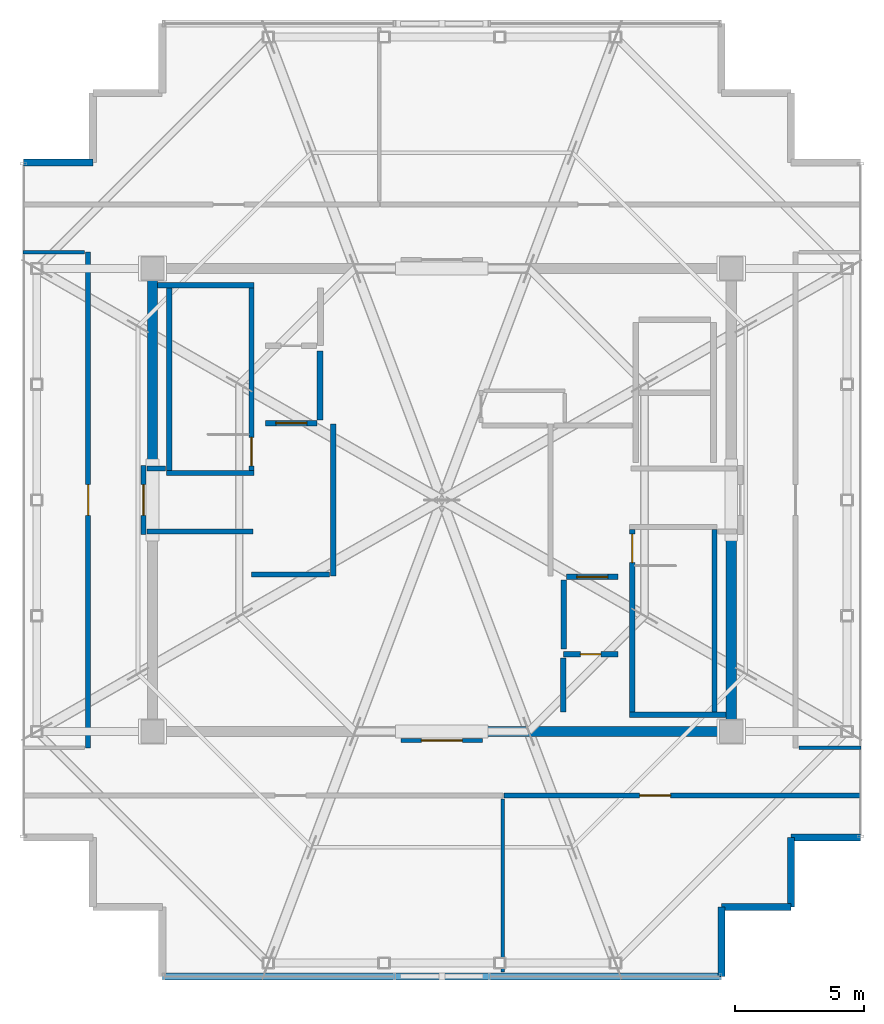
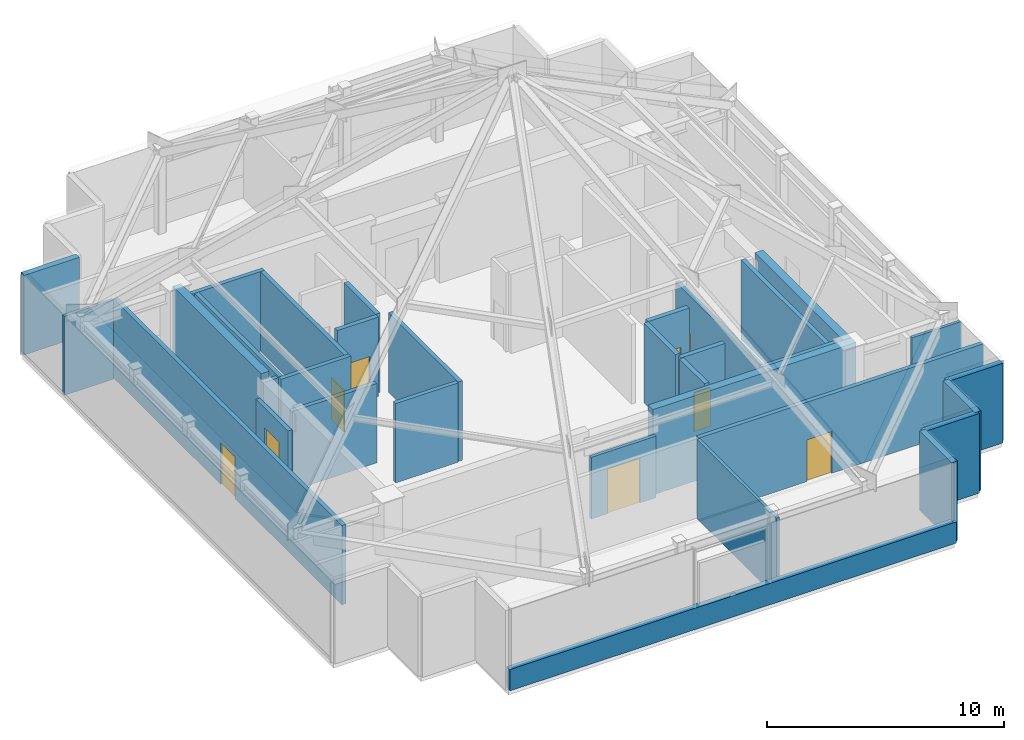
# One storey, part 15 of 17: 33 walls, 9 doors, 9 openings.
"""IFC4 building model written with IfcOpenShell, lengths in metres."""

from ifc_helpers import new_model, si_unit, direction, frame, frame_2d, origin, place, context, subcontext, project, spatial, rectangle, extrude, source, transform, mapped, material, layer, layer_set, type_object, element, fill, save


model = new_model("IFC4")

# Units and contexts
model_context = context("Model", 3, precision=1e-05, world=origin(), true_north=direction((0.0, 1.0)))
body_context = subcontext(model_context, "Body", "Model", "MODEL_VIEW")
ifc_project = project(units=[si_unit("LENGTHUNIT", "METRE"), si_unit("AREAUNIT", "SQUARE_METRE"), si_unit("VOLUMEUNIT", "CUBIC_METRE"), si_unit("PLANEANGLEUNIT", "RADIAN"), si_unit("MASSUNIT", "GRAM", prefix="KILO")], contexts=[model_context])

# Site, building, storey
site_placement = place(None, origin())
site = spatial("IfcSite", under=ifc_project, at=site_placement, CompositionType="ELEMENT")
building_placement = place(site_placement, origin())
building = spatial("IfcBuilding", under=site, at=building_placement, Name="Nefas-Gora Pilgrimage Tower", CompositionType="ELEMENT")
storey_placement = place(building_placement, frame((0.0, 0.0, 367.39990234375)))
storey = spatial("IfcBuildingStorey", under=building, at=storey_placement, Name="L92", CompositionType="ELEMENT", Elevation=367.39990234375)

# Walls
ifc_material_1 = material(Name="Concrete C50/60", Category="concrete")
ifc_layer_1 = layer(ifc_material_1, 0.39990234375)
ifc_layer_set_1 = layer_set([ifc_layer_1], Name="Concrete C50/60")
wall_type_1 = type_object("IfcWallType", Name="SW-CORE-400", PredefinedType="SHEAR", material=ifc_layer_set_1)
shared_shape_1 = source(origin(), body_context, "Body", "SweptSolid", [
    extrude(rectangle(XDim=9.89990234375, YDim=0.39990234375, at=frame_2d((4.949951171875, 0.0))), origin(), (0.0, 0.0, 1.0), 4.400146484375),
])
wall_1_placement = place(storey_placement, frame((1.550048828125, -9.0, 0.0), z_axis=(0.0, 0.0, 1.0), x_axis=(1.0, 0.0, 0.0)))
element("IfcWall", 1, at=wall_1_placement, inside=storey, type_object=wall_type_1, Name="L92 Core Shear Wall S-East", PredefinedType="SHEAR", context=body_context, shape_type="MappedRepresentation", body=[
    mapped(shared_shape_1, transform((0.0, 0.0, 0.0), x_axis=(1.0, 0.0, 0.0), y_axis=(0.0, 1.0, 0.0), z_axis=(0.0, 0.0, 1.0), scale=1.0)),
])
shared_shape_2 = source(origin(), body_context, "Body", "SweptSolid", [
    extrude(rectangle(XDim=7.449951171875, YDim=0.39990234375, at=frame_2d((3.72509765625, 0.0))), origin(), (0.0, 0.0, 1.0), 4.400146484375),
])
for number, where, z_axis, x_axis, name in (
    (2, (-11.25, 1.35009765625, 0.0), (0.0, 0.0, 1.0), (0.0, 1.0, 0.0), "L92 Core Shear Wall W-North"),
    (3, (11.25, -8.800048828125, 0.0), (0.0, 0.0, 1.0), (0.0, 1.0, 0.0), "L92 Core Shear Wall E-South"),
):
    element("IfcWall", number, at=place(storey_placement, frame(where, z_axis=z_axis, x_axis=x_axis)), inside=storey, type_object=wall_type_1, Name=name, PredefinedType="SHEAR", context=body_context, shape_type="MappedRepresentation", body=[
        mapped(shared_shape_2, transform((0.0, 0.0, 0.0), x_axis=(1.0, 0.0, 0.0), y_axis=(0.0, 1.0, 0.0), z_axis=(0.0, 0.0, 1.0), scale=1.0)),
    ])
ifc_material_2 = material(Name="Precast concrete C45/55", Category="concrete")
ifc_layer_2 = layer(ifc_material_2, 0.280029296875)
ifc_layer_set_2 = layer_set([ifc_layer_2], Name="Precast concrete C45/55")
wall_type_2 = type_object("IfcWallType", Name="EW-PLANT-280", PredefinedType="SOLIDWALL", material=ifc_layer_set_2)
shared_shape_3 = source(origin(), body_context, "Body", "SweptSolid", [
    extrude(rectangle(XDim=2.699951171875, YDim=0.280029296875, at=frame_2d((1.35009765625, 0.0))), origin(), (0.0, 0.0, 1.0), 4.10009765625),
])
for number, where, z_axis, x_axis, name in (
    (4, (-13.570068359375, 13.1201171875, 0.0), (0.0, 0.0, 1.0), (-1.0, 0.0, 0.0), "L92 Serrated Corner Shear Pier Wall 9"),
    (5, (10.8701171875, -18.52001953125, 0.0), (0.0, 0.0, 1.0), (0.0, 1.0, 0.0), "L92 Serrated Corner Shear Pier Wall 15"),
    (6, (10.8701171875, -15.820068359375, 0.0), (0.0, 0.0, 1.0), (1.0, 0.0, 0.0), "L92 Serrated Corner Shear Pier Wall 16"),
    (7, (13.570068359375, -15.820068359375, 0.0), (0.0, 0.0, 1.0), (0.0, 1.0, 0.0), "L92 Serrated Corner Shear Pier Wall 17"),
    (8, (13.570068359375, -13.1201171875, 0.0), (0.0, 0.0, 1.0), (1.0, 0.0, 0.0), "L92 Serrated Corner Shear Pier Wall 18"),
):
    element("IfcWall", number, at=place(storey_placement, frame(where, z_axis=z_axis, x_axis=x_axis)), inside=storey, type_object=wall_type_2, Name=name, PredefinedType="SOLIDWALL", context=body_context, shape_type="MappedRepresentation", body=[
        mapped(shared_shape_3, transform((0.0, 0.0, 0.0), x_axis=(1.0, 0.0, 0.0), y_axis=(0.0, 1.0, 0.0), z_axis=(0.0, 0.0, 1.0), scale=1.0)),
    ])
shared_shape_4 = source(origin(), body_context, "Body", "SweptSolid", [
    extrude(rectangle(XDim=21.740234375, YDim=0.280029296875, at=frame_2d((10.8701171875, 0.0))), origin(), (0.0, 0.0, 1.0), 1.10009765625),
])
wall_2_placement = place(storey_placement, frame((-10.8701171875, -18.52001953125, 0.0), z_axis=(0.0, 0.0, 1.0), x_axis=(1.0, 0.0, 0.0)))
element("IfcWall", 9, at=wall_2_placement, inside=storey, type_object=wall_type_2, Name="L92 Plant Upstand Spandrel Wall 14", PredefinedType="SOLIDWALL", context=body_context, shape_type="MappedRepresentation", body=[
    mapped(shared_shape_4, transform((0.0, 0.0, 0.0), x_axis=(1.0, 0.0, 0.0), y_axis=(0.0, 1.0, 0.0), z_axis=(0.0, 0.0, 1.0), scale=1.0)),
])
ifc_material_3 = material(Name="Concrete C45/55", Category="concrete")
ifc_layer_3 = layer(ifc_material_3, 0.199951171875)
ifc_layer_set_3 = layer_set([ifc_layer_3], Name="Concrete C45/55")
wall_type_3 = type_object("IfcWallType", Name="IW-STAIR-200", PredefinedType="SOLIDWALL", material=ifc_layer_set_3)
shared_shape_5 = source(origin(), body_context, "Body", "SweptSolid", [
    extrude(rectangle(XDim=3.39990234375, YDim=0.199951171875, at=frame_2d((1.699951171875, 0.0))), origin(), (0.0, 0.0, 1.0), 4.10009765625),
])
wall_3_placement = place(storey_placement, frame((-7.300048828125, 1.050048828125, 0.0), z_axis=(0.0, 0.0, 1.0), x_axis=(-1.0, 0.0, 0.0)))
element("IfcWall", 10, at=wall_3_placement, inside=storey, type_object=wall_type_3, Name="L92 Stairwell Shear Wall ST-01-near", PredefinedType="SOLIDWALL", context=body_context, shape_type="MappedRepresentation", body=[
    mapped(shared_shape_5, transform((0.0, 0.0, 0.0), x_axis=(1.0, 0.0, 0.0), y_axis=(0.0, 1.0, 0.0), z_axis=(0.0, 0.0, 1.0), scale=1.0)),
])
shared_shape_6 = source(origin(), body_context, "Body", "SweptSolid", [
    extrude(rectangle(XDim=3.7548828125, YDim=0.199951171875, at=frame_2d((1.87744140625, 0.0))), origin(), (0.0, 0.0, 1.0), 4.10009765625),
])
for number, where, z_axis, x_axis, name in (
    (11, (-7.300048828125, 8.35009765625, 0.0), (0.0, 0.0, 1.0), (-1.0, 0.0, 0.0), "L92 Stairwell Shear Wall ST-01-far"),
    (12, (7.300048828125, -8.35009765625, 0.0), (0.0, 0.0, 1.0), (1.0, 0.0, 0.0), "L92 Stairwell Shear Wall ST-02-far"),
):
    element("IfcWall", number, at=place(storey_placement, frame(where, z_axis=z_axis, x_axis=x_axis)), inside=storey, type_object=wall_type_3, Name=name, PredefinedType="SOLIDWALL", context=body_context, shape_type="MappedRepresentation", body=[
        mapped(shared_shape_6, transform((0.0, 0.0, 0.0), x_axis=(1.0, 0.0, 0.0), y_axis=(0.0, 1.0, 0.0), z_axis=(0.0, 0.0, 1.0), scale=1.0)),
    ])

# Wall, opening, door
shared_shape_7 = source(origin(), body_context, "Body", "SweptSolid", [
    extrude(rectangle(XDim=7.10009765625, YDim=0.199951171875, at=frame_2d((3.550048828125, 0.0))), origin(), (0.0, 0.0, 1.0), 4.10009765625),
])
wall_4_placement = place(storey_placement, frame((-7.39990234375, 1.14990234375, 0.0), z_axis=(0.0, 0.0, 1.0), x_axis=(0.0, 1.0, 0.0)))
wall_4 = element("IfcWall", 13, at=wall_4_placement, inside=storey, type_object=wall_type_3, Name="L92 Stairwell Shear Wall ST-01-left", PredefinedType="SOLIDWALL", context=body_context, shape_type="MappedRepresentation", body=[
    mapped(shared_shape_7, transform((0.0, 0.0, 0.0), x_axis=(1.0, 0.0, 0.0), y_axis=(0.0, 1.0, 0.0), z_axis=(0.0, 0.0, 1.0), scale=1.0)),
])
opening_1_placement = place(wall_4_placement, frame((0.179931640625, 0.0, 0.0)))
opening_1 = element("IfcOpeningElement", 14, at=opening_1_placement, cuts=wall_4, Name="Opening ID-ST1", PredefinedType="OPENING", context=body_context, shape_type="SweptSolid", body=[
    extrude(rectangle(XDim=1.10009765625, YDim=2.14990234375, at=frame_2d((0.550048828125, 1.074951171875))), frame((0.0, 0.10986328125, 0.0), z_axis=(0.0, -1.0, 0.0), x_axis=(1.0, 0.0, 0.0)), (0.0, 0.0, 1.0), 0.219970703125),
])
ifc_material_4 = material(Name="Painted galvanised steel fire stair door", Category="steel")
door_type_1 = type_object("IfcDoorType", Name="DR-INT-STAIR-1100", OperationType="NOTDEFINED", PredefinedType="DOOR", material=ifc_material_4)
shared_shape_8 = source(origin(), body_context, "Body", "SweptSolid", [
    extrude(rectangle(XDim=1.10009765625, YDim=2.14990234375, at=frame_2d((0.550048828125, 1.074951171875))), frame((0.0, 0.02490234375, 0.0), z_axis=(0.0, -1.0, 0.0), x_axis=(1.0, 0.0, 0.0)), (0.0, 0.0, 1.0), 0.050048828125),
])
door_1_placement = place(opening_1_placement, origin())
door_1 = element("IfcDoor", 15, at=door_1_placement, inside=storey, type_object=door_type_1, Name="L92 Protected Exit Stair Door ST-01", OperationType="SINGLE_SWING_RIGHT", OverallHeight=2.14990234375, OverallWidth=1.10009765625, PredefinedType="DOOR", context=body_context, shape_type="MappedRepresentation", body=[
    mapped(shared_shape_8, transform((0.0, 0.0, 0.0), x_axis=(1.0, 0.0, 0.0), y_axis=(0.0, 1.0, 0.0), z_axis=(0.0, 0.0, 1.0), scale=1.0)),
])
fill(opening_1, door_1)

# Wall
wall_5_placement = place(storey_placement, frame((-10.60009765625, 1.14990234375, 0.0), z_axis=(0.0, 0.0, 1.0), x_axis=(0.0, 1.0, 0.0)))
element("IfcWall", 16, at=wall_5_placement, inside=storey, type_object=wall_type_3, Name="L92 Stairwell Shear Wall ST-01-right", PredefinedType="SOLIDWALL", context=body_context, shape_type="MappedRepresentation", body=[
    mapped(shared_shape_7, transform((0.0, 0.0, 0.0), x_axis=(1.0, 0.0, 0.0), y_axis=(0.0, 1.0, 0.0), z_axis=(0.0, 0.0, 1.0), scale=1.0)),
])

# Wall, opening, door
wall_6_placement = place(storey_placement, frame((7.39990234375, -1.14990234375, 0.0), z_axis=(0.0, 0.0, 1.0), x_axis=(0.0, -1.0, 0.0)))
wall_6 = element("IfcWall", 17, at=wall_6_placement, inside=storey, type_object=wall_type_3, Name="L92 Stairwell Shear Wall ST-02-left", PredefinedType="SOLIDWALL", context=body_context, shape_type="MappedRepresentation", body=[
    mapped(shared_shape_7, transform((0.0, 0.0, 0.0), x_axis=(1.0, 0.0, 0.0), y_axis=(0.0, 1.0, 0.0), z_axis=(0.0, 0.0, 1.0), scale=1.0)),
])
opening_2_placement = place(wall_6_placement, frame((0.179931640625, 0.0, 0.0)))
opening_2 = element("IfcOpeningElement", 18, at=opening_2_placement, cuts=wall_6, Name="Opening ID-ST1", PredefinedType="OPENING", context=body_context, shape_type="SweptSolid", body=[
    extrude(rectangle(XDim=1.10009765625, YDim=2.14990234375, at=frame_2d((0.550048828125, 1.074951171875))), frame((0.0, 0.10986328125, 0.0), z_axis=(0.0, -1.0, 0.0), x_axis=(1.0, 0.0, 0.0)), (0.0, 0.0, 1.0), 0.219970703125),
])
door_2_placement = place(opening_2_placement, origin())
door_2 = element("IfcDoor", 19, at=door_2_placement, inside=storey, type_object=door_type_1, Name="L92 Protected Exit Stair Door ST-02", OperationType="SINGLE_SWING_LEFT", OverallHeight=2.14990234375, OverallWidth=1.10009765625, PredefinedType="DOOR", context=body_context, shape_type="MappedRepresentation", body=[
    mapped(shared_shape_8, transform((0.0, 0.0, 0.0), x_axis=(1.0, 0.0, 0.0), y_axis=(0.0, 1.0, 0.0), z_axis=(0.0, 0.0, 1.0), scale=1.0)),
])
fill(opening_2, door_2)

# Wall
wall_7_placement = place(storey_placement, frame((10.60009765625, -1.14990234375, 0.0), z_axis=(0.0, 0.0, 1.0), x_axis=(0.0, -1.0, 0.0)))
element("IfcWall", 20, at=wall_7_placement, inside=storey, type_object=wall_type_3, Name="L92 Stairwell Shear Wall ST-02-right", PredefinedType="SOLIDWALL", context=body_context, shape_type="MappedRepresentation", body=[
    mapped(shared_shape_7, transform((0.0, 0.0, 0.0), x_axis=(1.0, 0.0, 0.0), y_axis=(0.0, 1.0, 0.0), z_axis=(0.0, 0.0, 1.0), scale=1.0)),
])

# Wall, opening, door
ifc_material_5 = material(Name="Concrete C40/50", Category="concrete")
ifc_layer_4 = layer(ifc_material_5, 0.219970703125)
ifc_layer_set_4 = layer_set([ifc_layer_4], Name="Concrete C40/50")
wall_type_4 = type_object("IfcWallType", Name="IW-SHAFT-220", PredefinedType="SOLIDWALL", material=ifc_layer_set_4)
shared_shape_9 = source(origin(), body_context, "Body", "SweptSolid", [
    extrude(rectangle(XDim=2.0, YDim=0.219970703125, at=frame_2d((1.0, 0.0))), origin(), (0.0, 0.0, 1.0), 4.085205078125),
])
wall_8_placement = place(storey_placement, frame((-6.85009765625, 2.989990234375, 0.0), z_axis=(0.0, 0.0, 1.0), x_axis=(1.0, 0.0, 0.0)))
wall_8 = element("IfcWall", 21, at=wall_8_placement, inside=storey, type_object=wall_type_4, Name="L92 Hoistway Wall FFL-01-S", PredefinedType="SOLIDWALL", context=body_context, shape_type="MappedRepresentation", body=[
    mapped(shared_shape_9, transform((0.0, 0.0, 0.0), x_axis=(1.0, 0.0, 0.0), y_axis=(0.0, 1.0, 0.0), z_axis=(0.0, 0.0, 1.0), scale=1.0)),
])
opening_3_placement = place(wall_8_placement, frame((0.39990234375, 0.0, 0.0)))
opening_3 = element("IfcOpeningElement", 22, at=opening_3_placement, cuts=wall_8, Name="Opening LD-FF", PredefinedType="OPENING", context=body_context, shape_type="SweptSolid", body=[
    extrude(rectangle(XDim=1.199951171875, YDim=2.199951171875, at=frame_2d((0.60009765625, 1.10009765625))), frame((0.0, 0.119873046875, 0.0), z_axis=(0.0, -1.0, 0.0), x_axis=(1.0, 0.0, 0.0)), (0.0, 0.0, 1.0), 0.239990234375),
])
ifc_material_6 = material(Name="Fire-service sliding lift landing door")
door_type_2 = type_object("IfcDoorType", Name="DR-LIFT-FSAE-1200", OperationType="SLIDING_TO_LEFT", PredefinedType="DOOR", material=ifc_material_6)
shared_shape_10 = source(origin(), body_context, "Body", "SweptSolid", [
    extrude(rectangle(XDim=1.199951171875, YDim=2.199951171875, at=frame_2d((0.60009765625, 1.10009765625))), frame((0.0, 0.02490234375, 0.0), z_axis=(0.0, -1.0, 0.0), x_axis=(1.0, 0.0, 0.0)), (0.0, 0.0, 1.0), 0.050048828125),
])
door_3_placement = place(opening_3_placement, origin())
door_3 = element("IfcDoor", 23, at=door_3_placement, inside=storey, type_object=door_type_2, Name="L92 Sliding Lift Landing Door FFL-01", OperationType="SLIDING_TO_LEFT", OverallHeight=2.199951171875, OverallWidth=1.199951171875, PredefinedType="DOOR", context=body_context, shape_type="MappedRepresentation", body=[
    mapped(shared_shape_10, transform((0.0, 0.0, 0.0), x_axis=(1.0, 0.0, 0.0), y_axis=(0.0, 1.0, 0.0), z_axis=(0.0, 0.0, 1.0), scale=1.0)),
])
fill(opening_3, door_3)

wall_9_placement = place(storey_placement, frame((6.85009765625, -2.989990234375, 0.0), z_axis=(0.0, 0.0, 1.0), x_axis=(-1.0, 0.0, 0.0)))
wall_9 = element("IfcWall", 24, at=wall_9_placement, inside=storey, type_object=wall_type_4, Name="L92 Hoistway Wall FFL-02-N", PredefinedType="SOLIDWALL", context=body_context, shape_type="MappedRepresentation", body=[
    mapped(shared_shape_9, transform((0.0, 0.0, 0.0), x_axis=(1.0, 0.0, 0.0), y_axis=(0.0, 1.0, 0.0), z_axis=(0.0, 0.0, 1.0), scale=1.0)),
])
opening_4_placement = place(wall_9_placement, frame((0.39990234375, 0.0, 0.0)))
opening_4 = element("IfcOpeningElement", 25, at=opening_4_placement, cuts=wall_9, Name="Opening LD-FF", PredefinedType="OPENING", context=body_context, shape_type="SweptSolid", body=[
    extrude(rectangle(XDim=1.199951171875, YDim=2.199951171875, at=frame_2d((0.60009765625, 1.10009765625))), frame((0.0, 0.119873046875, 0.0), z_axis=(0.0, -1.0, 0.0), x_axis=(1.0, 0.0, 0.0)), (0.0, 0.0, 1.0), 0.239990234375),
])
door_4_placement = place(opening_4_placement, origin())
door_4 = element("IfcDoor", 26, at=door_4_placement, inside=storey, type_object=door_type_2, Name="L92 Sliding Lift Landing Door FFL-02", OperationType="SLIDING_TO_LEFT", OverallHeight=2.199951171875, OverallWidth=1.199951171875, PredefinedType="DOOR", context=body_context, shape_type="MappedRepresentation", body=[
    mapped(shared_shape_10, transform((0.0, 0.0, 0.0), x_axis=(1.0, 0.0, 0.0), y_axis=(0.0, 1.0, 0.0), z_axis=(0.0, 0.0, 1.0), scale=1.0)),
])
fill(opening_4, door_4)

# Walls
shared_shape_11 = source(origin(), body_context, "Body", "SweptSolid", [
    extrude(rectangle(XDim=2.679931640625, YDim=0.219970703125, at=frame_2d((1.33984375, 0.0))), origin(), (0.0, 0.0, 1.0), 4.085205078125),
])
for number, where, z_axis, x_axis, name in (
    (27, (-4.739990234375, 3.110107421875, 0.0), (0.0, 0.0, 1.0), (0.0, 1.0, 0.0), "L92 Hoistway Wall FFL-01-E"),
    (28, (4.739990234375, -3.110107421875, 0.0), (0.0, 0.0, 1.0), (0.0, -1.0, 0.0), "L92 Hoistway Wall FFL-02-W"),
):
    element("IfcWall", number, at=place(storey_placement, frame(where, z_axis=z_axis, x_axis=x_axis)), inside=storey, type_object=wall_type_4, Name=name, PredefinedType="SOLIDWALL", context=body_context, shape_type="MappedRepresentation", body=[
        mapped(shared_shape_11, transform((0.0, 0.0, 0.0), x_axis=(1.0, 0.0, 0.0), y_axis=(0.0, 1.0, 0.0), z_axis=(0.0, 0.0, 1.0), scale=1.0)),
    ])

# Wall, opening, door
ifc_material_7 = material(Name="Gypsum fire-rated shaftwall")
ifc_layer_5 = layer(ifc_material_7, 0.199951171875)
ifc_layer_set_5 = layer_set([ifc_layer_5], Name="Gypsum fire-rated shaftwall")
wall_type_5 = type_object("IfcWallType", Name="IW-FFLOB-200", PredefinedType="PARTITIONING", material=ifc_layer_set_5)
shared_shape_12 = source(origin(), body_context, "Body", "SweptSolid", [
    extrude(rectangle(XDim=2.7001953125, YDim=0.199951171875, at=frame_2d((1.35009765625, 0.0))), origin(), (0.0, 0.0, 1.0), 3.175048828125),
])
wall_10_placement = place(storey_placement, frame((-11.60009765625, -1.35009765625, 0.0), z_axis=(0.0, 0.0, 1.0), x_axis=(0.0, 1.0, 0.0)))
wall_10 = element("IfcWall", 29, at=wall_10_placement, inside=storey, type_object=wall_type_5, Name="L92 FF Lobby West Portal Wall 5", PredefinedType="PARTITIONING", context=body_context, shape_type="MappedRepresentation", body=[
    mapped(shared_shape_12, transform((0.0, 0.0, 0.0), x_axis=(1.0, 0.0, 0.0), y_axis=(0.0, 1.0, 0.0), z_axis=(0.0, 0.0, 1.0), scale=1.0)),
])
opening_5_placement = place(wall_10_placement, frame((0.75, 0.0, 0.0)))
opening_5 = element("IfcOpeningElement", 30, at=opening_5_placement, cuts=wall_10, Name="Opening ID-FF1", PredefinedType="OPENING", context=body_context, shape_type="SweptSolid", body=[
    extrude(rectangle(XDim=1.199951171875, YDim=2.14990234375, at=frame_2d((0.60009765625, 1.074951171875))), frame((0.0, 0.10986328125, 0.0), z_axis=(0.0, -1.0, 0.0), x_axis=(1.0, 0.0, 0.0)), (0.0, 0.0, 1.0), 0.219970703125),
])
ifc_material_8 = material(Name="Smoke-sealed steel firefighting lobby door", Category="steel")
door_type_3 = type_object("IfcDoorType", Name="DR-INT-FFLOB-1200", OperationType="NOTDEFINED", PredefinedType="DOOR", material=ifc_material_8)
shared_shape_13 = source(origin(), body_context, "Body", "SweptSolid", [
    extrude(rectangle(XDim=1.199951171875, YDim=2.14990234375, at=frame_2d((0.60009765625, 1.074951171875))), frame((0.0, 0.02490234375, 0.0), z_axis=(0.0, -1.0, 0.0), x_axis=(1.0, 0.0, 0.0)), (0.0, 0.0, 1.0), 0.050048828125),
])
door_5_placement = place(opening_5_placement, origin())
door_5 = element("IfcDoor", 31, at=door_5_placement, inside=storey, type_object=door_type_3, Name="L92 FF Lobby West Portal Door 3", OperationType="SINGLE_SWING_LEFT", OverallHeight=2.14990234375, OverallWidth=1.199951171875, PredefinedType="DOOR", context=body_context, shape_type="MappedRepresentation", body=[
    mapped(shared_shape_13, transform((0.0, 0.0, 0.0), x_axis=(1.0, 0.0, 0.0), y_axis=(0.0, 1.0, 0.0), z_axis=(0.0, 0.0, 1.0), scale=1.0)),
])
fill(opening_5, door_5)

ifc_material_9 = material(Name="Gypsum acoustic stud partition")
ifc_layer_6 = layer(ifc_material_9, 0.159912109375)
ifc_layer_set_6 = layer_set([ifc_layer_6], Name="Gypsum acoustic stud partition")
wall_type_6 = type_object("IfcWallType", Name="IW-CORR-160", PredefinedType="PARTITIONING", material=ifc_layer_set_6)
shared_shape_14 = source(origin(), body_context, "Body", "SweptSolid", [
    extrude(rectangle(XDim=3.16015625, YDim=0.159912109375, at=frame_2d((1.580078125, 0.0))), origin(), (0.0, 0.0, 1.0), 3.175048828125),
])
wall_11_placement = place(storey_placement, frame((-1.580078125, -9.35009765625, 0.0), z_axis=(0.0, 0.0, 1.0), x_axis=(1.0, 0.0, 0.0)))
wall_11 = element("IfcWall", 32, at=wall_11_placement, inside=storey, type_object=wall_type_6, Name="L92 Central Lift Lobby South Portal Wall 17", PredefinedType="PARTITIONING", context=body_context, shape_type="MappedRepresentation", body=[
    mapped(shared_shape_14, transform((0.0, 0.0, 0.0), x_axis=(1.0, 0.0, 0.0), y_axis=(0.0, 1.0, 0.0), z_axis=(0.0, 0.0, 1.0), scale=1.0)),
])
opening_6_placement = place(wall_11_placement, frame((0.780029296875, 0.0, 0.0)))
opening_6 = element("IfcOpeningElement", 33, at=opening_6_placement, cuts=wall_11, Name="Opening ID-HL1", PredefinedType="OPENING", context=body_context, shape_type="SweptSolid", body=[
    extrude(rectangle(XDim=1.60009765625, YDim=2.300048828125, at=frame_2d((0.800048828125, 1.14990234375))), frame((0.0, 0.08984375, 0.0), z_axis=(0.0, -1.0, 0.0), x_axis=(1.0, 0.0, 0.0)), (0.0, 0.0, 1.0), 0.179931640625),
])
ifc_material_10 = material(Name="Double acoustic timber assembly hall door", Category="wood")
door_type_4 = type_object("IfcDoorType", Name="DR-INT-HALL-1600", OperationType="DOUBLE_DOOR_SINGLE_SWING", PredefinedType="DOOR", material=ifc_material_10)
shared_shape_15 = source(origin(), body_context, "Body", "SweptSolid", [
    extrude(rectangle(XDim=1.60009765625, YDim=2.300048828125, at=frame_2d((0.800048828125, 1.14990234375))), frame((0.0, 0.02490234375, 0.0), z_axis=(0.0, -1.0, 0.0), x_axis=(1.0, 0.0, 0.0)), (0.0, 0.0, 1.0), 0.050048828125),
])
door_6_placement = place(opening_6_placement, origin())
door_6 = element("IfcDoor", 34, at=door_6_placement, inside=storey, type_object=door_type_4, Name="L92 Central Lift Lobby South Portal Door 6", OperationType="DOUBLE_DOOR_SINGLE_SWING", OverallHeight=2.300048828125, OverallWidth=1.60009765625, PredefinedType="DOOR", context=body_context, shape_type="MappedRepresentation", body=[
    mapped(shared_shape_15, transform((0.0, 0.0, 0.0), x_axis=(1.0, 0.0, 0.0), y_axis=(0.0, 1.0, 0.0), z_axis=(0.0, 0.0, 1.0), scale=1.0)),
])
fill(opening_6, door_6)

shared_shape_16 = source(origin(), body_context, "Body", "SweptSolid", [
    extrude(rectangle(XDim=2.130126953125, YDim=0.219970703125, at=frame_2d((1.06494140625, 0.0))), origin(), (0.0, 0.0, 1.0), 4.085205078125),
])
wall_12_placement = place(storey_placement, frame((4.719970703125, -6.0, 0.0), z_axis=(0.0, 0.0, 1.0), x_axis=(1.0, 0.0, 0.0)))
wall_12 = element("IfcWall", 35, at=wall_12_placement, inside=storey, type_object=wall_type_4, Name="L92 Riser Shaft Wall 3", PredefinedType="SOLIDWALL", context=body_context, shape_type="MappedRepresentation", body=[
    mapped(shared_shape_16, transform((0.0, 0.0, 0.0), x_axis=(1.0, 0.0, 0.0), y_axis=(0.0, 1.0, 0.0), z_axis=(0.0, 0.0, 1.0), scale=1.0)),
])
opening_7_placement = place(wall_12_placement, frame((0.6650390625, 0.0, 0.0)))
opening_7 = element("IfcOpeningElement", 36, at=opening_7_placement, cuts=wall_12, Name="Opening ID-TR1", PredefinedType="OPENING", context=body_context, shape_type="SweptSolid", body=[
    extrude(rectangle(XDim=0.800048828125, YDim=2.0, at=frame_2d((0.39990234375, 1.0))), frame((0.0, 0.119873046875, 0.0), z_axis=(0.0, -1.0, 0.0), x_axis=(1.0, 0.0, 0.0)), (0.0, 0.0, 1.0), 0.239990234375),
])
ifc_material_11 = material(Name="Riser maintenance fire access door")
door_type_5 = type_object("IfcDoorType", Name="DR-INT-TRAP-800", OperationType="NOTDEFINED", PredefinedType="TRAPDOOR", material=ifc_material_11)
shared_shape_17 = source(origin(), body_context, "Body", "SweptSolid", [
    extrude(rectangle(XDim=0.800048828125, YDim=2.0, at=frame_2d((0.39990234375, 1.0))), frame((0.0, 0.02490234375, 0.0), z_axis=(0.0, -1.0, 0.0), x_axis=(1.0, 0.0, 0.0)), (0.0, 0.0, 1.0), 0.050048828125),
])
door_7_placement = place(opening_7_placement, origin())
door_7 = element("IfcDoor", 37, at=door_7_placement, inside=storey, type_object=door_type_5, Name="L92 Riser Shaft Door 2", OperationType="SINGLE_SWING_RIGHT", OverallHeight=2.0, OverallWidth=0.800048828125, PredefinedType="TRAPDOOR", context=body_context, shape_type="MappedRepresentation", body=[
    mapped(shared_shape_17, transform((0.0, 0.0, 0.0), x_axis=(1.0, 0.0, 0.0), y_axis=(0.0, 1.0, 0.0), z_axis=(0.0, 0.0, 1.0), scale=1.0)),
])
fill(opening_7, door_7)

# Walls
shared_shape_18 = source(origin(), body_context, "Body", "SweptSolid", [
    extrude(rectangle(XDim=2.10009765625, YDim=0.219970703125, at=frame_2d((1.050048828125, 0.0))), origin(), (0.0, 0.0, 1.0), 4.085205078125),
])
wall_13_placement = place(storey_placement, frame((4.719970703125, -8.25, 0.0), z_axis=(0.0, 0.0, 1.0), x_axis=(0.0, 1.0, 0.0)))
element("IfcWall", 38, at=wall_13_placement, inside=storey, type_object=wall_type_4, Name="L92 Riser Shaft Wall 4", PredefinedType="SOLIDWALL", context=body_context, shape_type="MappedRepresentation", body=[
    mapped(shared_shape_18, transform((0.0, 0.0, 0.0), x_axis=(1.0, 0.0, 0.0), y_axis=(0.0, 1.0, 0.0), z_axis=(0.0, 0.0, 1.0), scale=1.0)),
])
shared_shape_19 = source(origin(), body_context, "Body", "SweptSolid", [
    extrude(rectangle(XDim=5.89990234375, YDim=0.199951171875, at=frame_2d((2.949951171875, 0.0))), origin(), (0.0, 0.0, 1.0), 4.085205078125),
])
wall_14_placement = place(storey_placement, frame((-4.219970703125, -2.949951171875, 0.0), z_axis=(0.0, 0.0, 1.0), x_axis=(0.0, 1.0, 0.0)))
element("IfcWall", 39, at=wall_14_placement, inside=storey, type_object=wall_type_5, Name="L92 FF Lobby West Inner Wall Wall 6", PredefinedType="PARTITIONING", context=body_context, shape_type="MappedRepresentation", body=[
    mapped(shared_shape_19, transform((0.0, 0.0, 0.0), x_axis=(1.0, 0.0, 0.0), y_axis=(0.0, 1.0, 0.0), z_axis=(0.0, 0.0, 1.0), scale=1.0)),
])
shared_shape_20 = source(origin(), body_context, "Body", "SweptSolid", [
    extrude(rectangle(XDim=3.039794921875, YDim=0.199951171875, at=frame_2d((1.52001953125, 0.0))), origin(), (0.0, 0.0, 1.0), 4.085205078125),
])
wall_15_placement = place(storey_placement, frame((-7.39990234375, -2.89990234375, 0.0), z_axis=(0.0, 0.0, 1.0), x_axis=(1.0, 0.0, 0.0)))
element("IfcWall", 40, at=wall_15_placement, inside=storey, type_object=wall_type_5, Name="L92 FF Lobby West South Wall Wall 7", PredefinedType="PARTITIONING", context=body_context, shape_type="MappedRepresentation", body=[
    mapped(shared_shape_20, transform((0.0, 0.0, 0.0), x_axis=(1.0, 0.0, 0.0), y_axis=(0.0, 1.0, 0.0), z_axis=(0.0, 0.0, 1.0), scale=1.0)),
])
shared_shape_21 = source(origin(), body_context, "Body", "SweptSolid", [
    extrude(rectangle(XDim=0.719970703125, YDim=0.199951171875, at=frame_2d((0.35986328125, 0.0))), origin(), (0.0, 0.0, 1.0), 4.085205078125),
])
wall_16_placement = place(storey_placement, frame((-11.4599609375, 1.219970703125, 0.0), z_axis=(0.0, 0.0, 1.0), x_axis=(1.0, 0.0, 0.0)))
element("IfcWall", 41, at=wall_16_placement, inside=storey, type_object=wall_type_5, Name="L92 FF Lobby West Throat N Wall 8", PredefinedType="PARTITIONING", context=body_context, shape_type="MappedRepresentation", body=[
    mapped(shared_shape_21, transform((0.0, 0.0, 0.0), x_axis=(1.0, 0.0, 0.0), y_axis=(0.0, 1.0, 0.0), z_axis=(0.0, 0.0, 1.0), scale=1.0)),
])
shared_shape_22 = source(origin(), body_context, "Body", "SweptSolid", [
    extrude(rectangle(XDim=4.10986328125, YDim=0.199951171875, at=frame_2d((2.054931640625, 0.0))), origin(), (0.0, 0.0, 1.0), 4.085205078125),
])
wall_17_placement = place(storey_placement, frame((-11.4599609375, -1.219970703125, 0.0), z_axis=(0.0, 0.0, 1.0), x_axis=(1.0, 0.0, 0.0)))
element("IfcWall", 42, at=wall_17_placement, inside=storey, type_object=wall_type_5, Name="L92 FF Lobby West Throat S Wall 9", PredefinedType="PARTITIONING", context=body_context, shape_type="MappedRepresentation", body=[
    mapped(shared_shape_22, transform((0.0, 0.0, 0.0), x_axis=(1.0, 0.0, 0.0), y_axis=(0.0, 1.0, 0.0), z_axis=(0.0, 0.0, 1.0), scale=1.0)),
])

# Wall, opening, door
ifc_layer_7 = layer(ifc_material_5, 0.199951171875)
ifc_layer_set_7 = layer_set([ifc_layer_7], Name="Concrete C40/50")
wall_type_7 = type_object("IfcWallType", Name="IW-PLANT-200", PredefinedType="SOLIDWALL", material=ifc_layer_set_7)
shared_shape_23 = source(origin(), body_context, "Body", "SweptSolid", [
    extrude(rectangle(XDim=19.27978515625, YDim=0.199951171875, at=frame_2d((9.639892578125, 0.0))), origin(), (0.0, 0.0, 1.0), 4.085205078125),
])
wall_18_placement = place(storey_placement, frame((-13.75, -9.639892578125, 0.0), z_axis=(0.0, 0.0, 1.0), x_axis=(0.0, 1.0, 0.0)))
wall_18 = element("IfcWall", 43, at=wall_18_placement, inside=storey, type_object=wall_type_7, Name="L92 Emergency Power Switchgear Plant Room Partition Wall 21", PredefinedType="SOLIDWALL", context=body_context, shape_type="MappedRepresentation", body=[
    mapped(shared_shape_23, transform((0.0, 0.0, 0.0), x_axis=(1.0, 0.0, 0.0), y_axis=(0.0, 1.0, 0.0), z_axis=(0.0, 0.0, 1.0), scale=1.0)),
])
opening_8_placement = place(wall_18_placement, frame((9.0400390625, 0.0, 0.0)))
opening_8 = element("IfcOpeningElement", 44, at=opening_8_placement, cuts=wall_18, Name="Opening ID-PL1", PredefinedType="OPENING", context=body_context, shape_type="SweptSolid", body=[
    extrude(rectangle(XDim=1.199951171875, YDim=2.14990234375, at=frame_2d((0.60009765625, 1.074951171875))), frame((0.0, 0.10986328125, 0.0), z_axis=(0.0, -1.0, 0.0), x_axis=(1.0, 0.0, 0.0)), (0.0, 0.0, 1.0), 0.219970703125),
])
ifc_material_12 = material(Name="Heavy-duty steel plant room fire door", Category="steel")
door_type_6 = type_object("IfcDoorType", Name="DR-INT-PLANT-1200", OperationType="NOTDEFINED", PredefinedType="DOOR", material=ifc_material_12)
door_8_placement = place(opening_8_placement, origin())
door_8 = element("IfcDoor", 45, at=door_8_placement, inside=storey, type_object=door_type_6, Name="L92 Emergency Power Switchgear Plant Room Door 8", OperationType="SINGLE_SWING_RIGHT", OverallHeight=2.14990234375, OverallWidth=1.199951171875, PredefinedType="DOOR", context=body_context, shape_type="MappedRepresentation", body=[
    mapped(shared_shape_13, transform((0.0, 0.0, 0.0), x_axis=(1.0, 0.0, 0.0), y_axis=(0.0, 1.0, 0.0), z_axis=(0.0, 0.0, 1.0), scale=1.0)),
])
fill(opening_8, door_8)

# Walls
ifc_material_13 = material(Name="Gypsum twin-stud partition")
ifc_layer_8 = layer(ifc_material_13, 0.139892578125)
ifc_layer_set_8 = layer_set([ifc_layer_8], Name="Gypsum twin-stud partition")
wall_type_8 = type_object("IfcWallType", Name="IW-UNIT-140", PredefinedType="PARTITIONING", material=ifc_layer_set_8)
shared_shape_24 = source(origin(), body_context, "Body", "SweptSolid", [
    extrude(rectangle(XDim=2.400146484375, YDim=0.139892578125, at=frame_2d((1.2001953125, 0.0))), origin(), (0.0, 0.0, 1.0), 4.085205078125),
])
for number, where, z_axis, x_axis, name in (
    (46, (-16.2900390625, 9.6298828125, 0.0), (0.0, 0.0, 1.0), (1.0, 0.0, 0.0), "L92 Emergency Power Switchgear Plant Room Partition Wall 23"),
    (47, (13.889892578125, -9.6298828125, 0.0), (0.0, 0.0, 1.0), (1.0, 0.0, 0.0), "L92 Tower Elevator Machine Plant Room Partition Wall 26"),
):
    element("IfcWall", number, at=place(storey_placement, frame(where, z_axis=z_axis, x_axis=x_axis)), inside=storey, type_object=wall_type_8, Name=name, PredefinedType="PARTITIONING", context=body_context, shape_type="MappedRepresentation", body=[
        mapped(shared_shape_24, transform((0.0, 0.0, 0.0), x_axis=(1.0, 0.0, 0.0), y_axis=(0.0, 1.0, 0.0), z_axis=(0.0, 0.0, 1.0), scale=1.0)),
    ])

# Wall, opening, door
shared_shape_25 = source(origin(), body_context, "Body", "SweptSolid", [
    extrude(rectangle(XDim=13.8701171875, YDim=0.199951171875, at=frame_2d((6.93505859375, 0.0))), origin(), (0.0, 0.0, 1.0), 4.085205078125),
])
wall_19_placement = place(storey_placement, frame((2.419921875, -11.489990234375, 0.0), z_axis=(0.0, 0.0, 1.0), x_axis=(1.0, 0.0, 0.0)))
wall_19 = element("IfcWall", 48, at=wall_19_placement, inside=storey, type_object=wall_type_7, Name="L92 Domestic and Fire Reserve Water Tank Plant Room Partition Wall 32", PredefinedType="SOLIDWALL", context=body_context, shape_type="MappedRepresentation", body=[
    mapped(shared_shape_25, transform((0.0, 0.0, 0.0), x_axis=(1.0, 0.0, 0.0), y_axis=(0.0, 1.0, 0.0), z_axis=(0.0, 0.0, 1.0), scale=1.0)),
])
opening_9_placement = place(wall_19_placement, frame((5.268798828125, 0.0, 0.0)))
opening_9 = element("IfcOpeningElement", 49, at=opening_9_placement, cuts=wall_19, Name="Opening ID-PL1", PredefinedType="OPENING", context=body_context, shape_type="SweptSolid", body=[
    extrude(rectangle(XDim=1.199951171875, YDim=2.14990234375, at=frame_2d((0.60009765625, 1.074951171875))), frame((0.0, 0.10986328125, 0.0), z_axis=(0.0, -1.0, 0.0), x_axis=(1.0, 0.0, 0.0)), (0.0, 0.0, 1.0), 0.219970703125),
])
door_9_placement = place(opening_9_placement, origin())
door_9 = element("IfcDoor", 50, at=door_9_placement, inside=storey, type_object=door_type_6, Name="L92 Domestic and Fire Reserve Water Tank Plant Room Door 13", OperationType="SINGLE_SWING_LEFT", OverallHeight=2.14990234375, OverallWidth=1.199951171875, PredefinedType="DOOR", context=body_context, shape_type="MappedRepresentation", body=[
    mapped(shared_shape_13, transform((0.0, 0.0, 0.0), x_axis=(1.0, 0.0, 0.0), y_axis=(0.0, 1.0, 0.0), z_axis=(0.0, 0.0, 1.0), scale=1.0)),
])
fill(opening_9, door_9)

# Wall
shared_shape_26 = source(origin(), body_context, "Body", "SweptSolid", [
    extrude(rectangle(XDim=6.710205078125, YDim=0.139892578125, at=frame_2d((3.35498046875, 0.0))), origin(), (0.0, 0.0, 1.0), 4.085205078125),
])
wall_20_placement = place(storey_placement, frame((2.3701171875, -18.340087890625, 0.0), z_axis=(0.0, 0.0, 1.0), x_axis=(0.0, 1.0, 0.0)))
element("IfcWall", 51, at=wall_20_placement, inside=storey, type_object=wall_type_8, Name="L92 Stair Smoke Pressurisation Fan Plant Room Partition Wall 31", PredefinedType="PARTITIONING", context=body_context, shape_type="MappedRepresentation", body=[
    mapped(shared_shape_26, transform((0.0, 0.0, 0.0), x_axis=(1.0, 0.0, 0.0), y_axis=(0.0, 1.0, 0.0), z_axis=(0.0, 0.0, 1.0), scale=1.0)),
])

save(model, "model.ifc")
